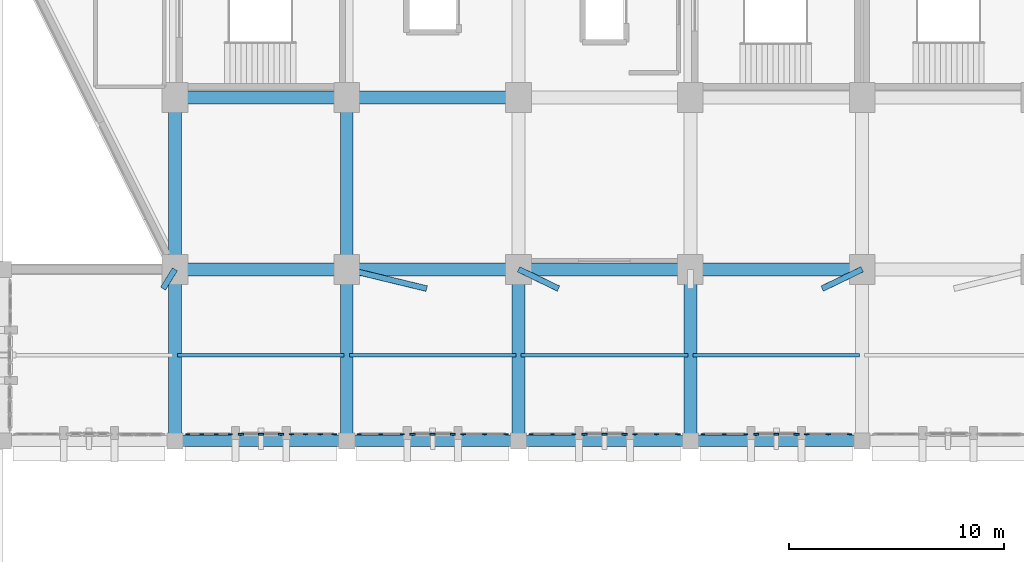
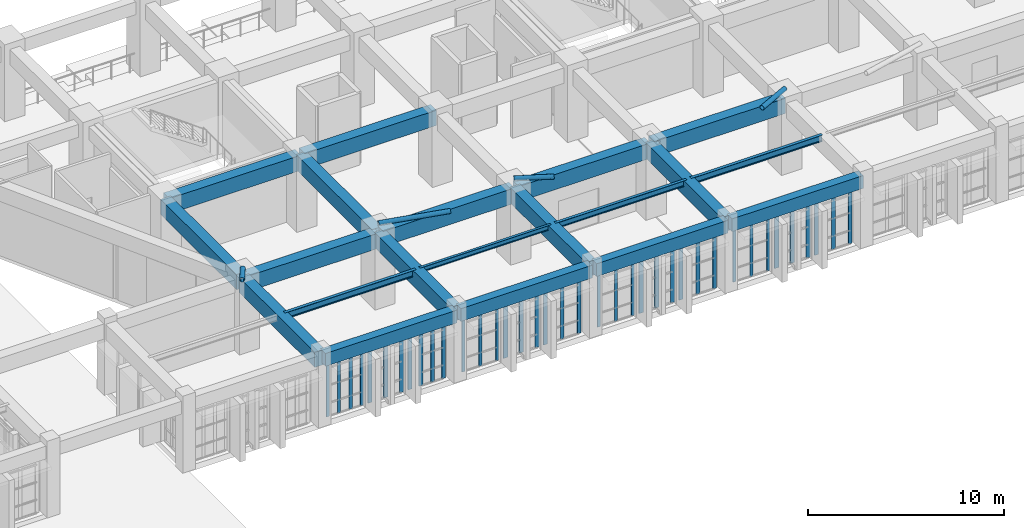
# One storey, part 18 of 155: 42 members, 20 beams, 12 elements without a shape of their own.
"""IFC4 building model written with IfcOpenShell, lengths in metres."""

from ifc_helpers import new_model, si_unit, direction, frame, origin, origin_2d, place, context, subcontext, project, spatial, rectangle, hollow_circle, i_section, extrude, material, layer, layer_set, material_profile, profile_set, type_object, element, aggregate, save


model = new_model("IFC4")

# Units and contexts
model_context = context("Model", 3, precision=1e-05, world=origin(), true_north=direction((0.0, 1.0)))
body_context = subcontext(model_context, "Body", "Model", "MODEL_VIEW")
ifc_project = project(units=[si_unit("LENGTHUNIT", "METRE"), si_unit("AREAUNIT", "SQUARE_METRE"), si_unit("VOLUMEUNIT", "CUBIC_METRE"), si_unit("PLANEANGLEUNIT", "RADIAN"), si_unit("MASSUNIT", "GRAM", prefix="KILO")], contexts=[model_context])

# Site, building, storey
site_placement = place(None, origin())
site = spatial("IfcSite", under=ifc_project, at=site_placement, CompositionType="ELEMENT")
building_placement = place(site_placement, origin())
building = spatial("IfcBuilding", under=site, at=building_placement, Name="Tazarka Park Arena", CompositionType="ELEMENT")
storey_placement = place(building_placement, frame((0.0, 0.0, 5.39990234375)))
storey = spatial("IfcBuildingStorey", under=building, at=storey_placement, Name="L01", CompositionType="ELEMENT", Elevation=5.39990234375)

# Beams
ifc_material_1 = material(Name="Concrete C40/50", Category="concrete")
ifc_material_profile_1 = material_profile(ifc_material_1, rectangle(XDim=0.60009765625, YDim=0.949951171875, at=origin_2d()), Name="Concrete C40/50")
ifc_profile_set_1 = profile_set([ifc_material_profile_1], Name="Concrete C40/50")
beam_type_1 = type_object("IfcBeamType", Name="BM-B-03", PredefinedType="BEAM", material=ifc_profile_set_1)
for number, where, z_axis, x_axis, name in (
    (1, (64.0, 8.1201171875, 3.945068359375), (0.0, 1.0, 0.0), (-1.0, 0.0, 0.0), "GYM-L01-08-01"),
    (2, (64.1201171875, 16.0, 3.945068359375), (1.0, 0.0, 0.0), (0.0, 1.0, 0.0), "GXM-L01-08-02"),
    (3, (64.0, 16.1201171875, 3.945068359375), (0.0, 1.0, 0.0), (-1.0, 0.0, 0.0), "GYM-L01-08-02"),
    (4, (64.1201171875, 24.0, 3.945068359375), (1.0, 0.0, 0.0), (0.0, 1.0, 0.0), "GXM-L01-08-03"),
    (5, (72.0, 8.1201171875, 3.945068359375), (0.0, 1.0, 0.0), (-1.0, 0.0, 0.0), "GYM-L01-09-01"),
    (6, (72.1201171875, 16.0, 3.945068359375), (1.0, 0.0, 0.0), (0.0, 1.0, 0.0), "GXM-L01-09-02"),
    (7, (72.0, 16.1201171875, 3.945068359375), (0.0, 1.0, 0.0), (-1.0, 0.0, 0.0), "GYM-L01-09-02"),
    (8, (72.1201171875, 24.0, 3.945068359375), (1.0, 0.0, 0.0), (0.0, 1.0, 0.0), "GXM-L01-09-03"),
    (9, (80.0, 8.1201171875, 3.945068359375), (0.0, 1.0, 0.0), (-1.0, 0.0, 0.0), "GYM-L01-10-01"),
    (10, (80.1201171875, 16.0, 3.945068359375), (1.0, 0.0, 0.0), (0.0, 1.0, 0.0), "GXM-L01-10-02"),
    (11, (88.0, 8.1201171875, 3.945068359375), (0.0, 1.0, 0.0), (-1.0, 0.0, 0.0), "GYM-L01-11-01"),
    (12, (88.1201171875, 16.0, 3.945068359375), (1.0, 0.0, 0.0), (0.0, 1.0, 0.0), "GXM-L01-11-02"),
):
    element("IfcBeam", number, at=place(storey_placement, frame(where, z_axis=z_axis, x_axis=x_axis)), inside=storey, type_object=beam_type_1, Name=name, PredefinedType="BEAM", context=body_context, shape_type="SweptSolid", body=[
        extrude(rectangle(XDim=0.60009765625, YDim=0.949951171875, at=origin_2d()), origin(), (0.0, 0.0, 1.0), 7.759765625),
    ])
ifc_material_2 = material(Name="Steel S355", Category="steel")
ifc_material_profile_2 = material_profile(ifc_material_2, i_section(OverallWidth=0.14990234375, OverallDepth=0.300048828125, WebThickness=0.007080078125, FlangeThickness=0.0107421875, FilletRadius=0.014892578125, at=origin_2d()), Name="Steel S355")
ifc_profile_set_2 = profile_set([ifc_material_profile_2], Name="Steel S355")
beam_type_2 = type_object("IfcBeamType", Name="BM-J-01", PredefinedType="JOIST", material=ifc_profile_set_2)
beam_1_placement = place(storey_placement, frame((72.1201171875, 12.0, 4.27001953125), z_axis=(1.0, 0.0, 0.0), x_axis=(0.0, 1.0, 0.0)))
element("IfcBeam", 13, at=beam_1_placement, inside=storey, type_object=beam_type_2, Name="JST-L01-09-01", PredefinedType="JOIST", context=body_context, shape_type="SweptSolid", body=[
    extrude(i_section(OverallWidth=0.14990234375, OverallDepth=0.300048828125, WebThickness=0.007080078125, FlangeThickness=0.0107421875, FilletRadius=0.014892578125, at=origin_2d()), origin(), (0.0, 0.0, 1.0), 7.759765625),
])
ifc_material_3 = material(Name="Steel S355", Category="steel")
ifc_material_profile_3 = material_profile(ifc_material_3, i_section(OverallWidth=0.169921875, OverallDepth=0.360107421875, WebThickness=0.008056640625, FlangeThickness=0.0126953125, FilletRadius=0.01806640625, at=origin_2d()), Name="Steel S355")
ifc_profile_set_3 = profile_set([ifc_material_profile_3], Name="Steel S355")
beam_type_3 = type_object("IfcBeamType", Name="BM-J-02", PredefinedType="JOIST", material=ifc_profile_set_3)
beam_2_placement = place(storey_placement, frame((80.1201171875, 12.0, 4.239990234375), z_axis=(1.0, 0.0, 0.0), x_axis=(0.0, 1.0, 0.0)))
element("IfcBeam", 14, at=beam_2_placement, inside=storey, type_object=beam_type_3, Name="JST-L01-10-01", PredefinedType="JOIST", context=body_context, shape_type="SweptSolid", body=[
    extrude(i_section(OverallWidth=0.169921875, OverallDepth=0.360107421875, WebThickness=0.008056640625, FlangeThickness=0.0126953125, FilletRadius=0.01806640625, at=origin_2d()), origin(), (0.0, 0.0, 1.0), 7.759765625),
])
ifc_material_4 = material(Name="Steel S355", Category="steel")
ifc_material_profile_4 = material_profile(ifc_material_4, i_section(OverallWidth=0.179931640625, OverallDepth=0.39990234375, WebThickness=0.008544921875, FlangeThickness=0.013427734375, FilletRadius=0.02099609375, at=origin_2d()), Name="Steel S355")
ifc_profile_set_4 = profile_set([ifc_material_profile_4], Name="Steel S355")
beam_type_4 = type_object("IfcBeamType", Name="BM-J-03", PredefinedType="JOIST", material=ifc_profile_set_4)
for number, where, z_axis, x_axis, name in (
    (15, (64.1201171875, 12.0, 4.22021484375), (1.0, 0.0, 0.0), (0.0, 1.0, 0.0), "JST-L01-08-01"),
    (16, (88.1201171875, 12.0, 4.22021484375), (1.0, 0.0, 0.0), (0.0, 1.0, 0.0), "JST-L01-11-01"),
):
    element("IfcBeam", number, at=place(storey_placement, frame(where, z_axis=z_axis, x_axis=x_axis)), inside=storey, type_object=beam_type_4, Name=name, PredefinedType="JOIST", context=body_context, shape_type="SweptSolid", body=[
        extrude(i_section(OverallWidth=0.179931640625, OverallDepth=0.39990234375, WebThickness=0.008544921875, FlangeThickness=0.013427734375, FilletRadius=0.02099609375, at=origin_2d()), origin(), (0.0, 0.0, 1.0), 7.759765625),
    ])
ifc_material_5 = material(Name="Concrete C40/50", Category="concrete")
ifc_material_profile_5 = material_profile(ifc_material_5, rectangle(XDim=0.5, YDim=0.800048828125, at=origin_2d()), Name="Concrete C40/50")
ifc_profile_set_5 = profile_set([ifc_material_profile_5], Name="Concrete C40/50")
beam_type_5 = type_object("IfcBeamType", Name="BM-SP-01", PredefinedType="SPANDREL", material=ifc_profile_set_5)
for number, where, z_axis, x_axis, name in (
    (17, (64.1201171875, 8.0, 4.02001953125), (1.0, 0.0, 0.0), (0.0, 1.0, 0.0), "GXM-L01-08-01"),
    (18, (72.1201171875, 8.0, 4.02001953125), (1.0, 0.0, 0.0), (0.0, 1.0, 0.0), "GXM-L01-09-01"),
    (19, (80.1201171875, 8.0, 4.02001953125), (1.0, 0.0, 0.0), (0.0, 1.0, 0.0), "GXM-L01-10-01"),
    (20, (88.1201171875, 8.0, 4.02001953125), (1.0, 0.0, 0.0), (0.0, 1.0, 0.0), "GXM-L01-11-01"),
):
    element("IfcBeam", number, at=place(storey_placement, frame(where, z_axis=z_axis, x_axis=x_axis)), inside=storey, type_object=beam_type_5, Name=name, PredefinedType="SPANDREL", context=body_context, shape_type="SweptSolid", body=[
        extrude(rectangle(XDim=0.5, YDim=0.800048828125, at=origin_2d()), origin(), (0.0, 0.0, 1.0), 7.759765625),
    ])

# Curtain wall, members
ifc_material_6 = material(Name="Aluminium and low-e glass", Category="aluminium")
ifc_layer_1 = layer(ifc_material_6, 0.179931640625, Name="Aluminium and low-e glass")
ifc_layer_set_1 = layer_set([ifc_layer_1], Name="Aluminium and low-e glass")
curtain_wall_type_1 = type_object("IfcCurtainWallType", Name="CW-09", PredefinedType="NOTDEFINED", material=ifc_layer_set_1)
curtain_wall_1_placement = place(storey_placement, origin())
curtain_wall_1 = element("IfcCurtainWall", 21, at=curtain_wall_1_placement, inside=storey, type_object=curtain_wall_type_1, Name="Curtain Wall CWA-L01-009", PredefinedType="NOTDEFINED")
ifc_material_7 = material(Name="Aluminium 6060-T66", Category="aluminium")
ifc_material_profile_6 = material_profile(ifc_material_7, rectangle(XDim=0.06494140625, YDim=0.179931640625, at=origin_2d()), Name="Aluminium 6060-T66")
ifc_profile_set_6 = profile_set([ifc_material_profile_6], Name="Aluminium 6060-T66")
member_type_1 = type_object("IfcMemberType", Name="CWM-01", PredefinedType="MULLION", material=ifc_profile_set_6)
member_1_placement = place(storey_placement, frame((66.57568359375, 8.320068359375, 0.0), z_axis=(0.0, 0.0, 1.0), x_axis=(0.0, -1.0, 0.0)))
member_1 = element("IfcMember", 22, at=member_1_placement, type_object=member_type_1, Name="CW-09 mullion 1", PredefinedType="MULLION", context=body_context, shape_type="SweptSolid", body=[
    extrude(rectangle(XDim=0.06494140625, YDim=0.179931640625, at=origin_2d()), origin(), (0.0, 0.0, 1.0), 3.60009765625),
])
member_2_placement = place(storey_placement, frame((65.923828125, 8.320068359375, 0.0), z_axis=(0.0, 0.0, 1.0), x_axis=(0.0, -1.0, 0.0)))
member_2 = element("IfcMember", 23, at=member_2_placement, type_object=member_type_1, Name="CW-09 mullion 2", PredefinedType="MULLION", context=body_context, shape_type="SweptSolid", body=[
    extrude(rectangle(XDim=0.06494140625, YDim=0.179931640625, at=origin_2d()), origin(), (0.0, 0.0, 1.0), 3.60009765625),
])
member_3_placement = place(storey_placement, frame((65.239501953125, 8.320068359375, 0.0), z_axis=(0.0, 0.0, 1.0), x_axis=(0.0, -1.0, 0.0)))
member_3 = element("IfcMember", 24, at=member_3_placement, type_object=member_type_1, Name="CW-09 mullion 3", PredefinedType="MULLION", context=body_context, shape_type="SweptSolid", body=[
    extrude(rectangle(XDim=0.06494140625, YDim=0.179931640625, at=origin_2d()), origin(), (0.0, 0.0, 1.0), 3.60009765625),
])
member_4_placement = place(storey_placement, frame((64.58740234375, 8.320068359375, 0.0), z_axis=(0.0, 0.0, 1.0), x_axis=(0.0, -1.0, 0.0)))
member_4 = element("IfcMember", 25, at=member_4_placement, type_object=member_type_1, Name="CW-09 mullion 4", PredefinedType="MULLION", context=body_context, shape_type="SweptSolid", body=[
    extrude(rectangle(XDim=0.06494140625, YDim=0.179931640625, at=origin_2d()), origin(), (0.0, 0.0, 1.0), 3.60009765625),
])
aggregate(curtain_wall_1, [member_1, member_2, member_3, member_4])

ifc_material_8 = material(Name="Aluminium and low-e glass", Category="aluminium")
ifc_layer_2 = layer(ifc_material_8, 0.179931640625, Name="Aluminium and low-e glass")
ifc_layer_set_2 = layer_set([ifc_layer_2], Name="Aluminium and low-e glass")
curtain_wall_type_2 = type_object("IfcCurtainWallType", Name="CW-12", PredefinedType="NOTDEFINED", material=ifc_layer_set_2)
curtain_wall_2_placement = place(storey_placement, origin())
curtain_wall_2 = element("IfcCurtainWall", 26, at=curtain_wall_2_placement, inside=storey, type_object=curtain_wall_type_2, Name="Curtain Wall CWA-L01-012", PredefinedType="NOTDEFINED")
member_5_placement = place(storey_placement, frame((74.57568359375, 8.320068359375, 0.0), z_axis=(0.0, 0.0, 1.0), x_axis=(0.0, -1.0, 0.0)))
member_5 = element("IfcMember", 27, at=member_5_placement, type_object=member_type_1, Name="CW-12 mullion 1", PredefinedType="MULLION", context=body_context, shape_type="SweptSolid", body=[
    extrude(rectangle(XDim=0.06494140625, YDim=0.179931640625, at=origin_2d()), origin(), (0.0, 0.0, 1.0), 3.60009765625),
])
member_6_placement = place(storey_placement, frame((73.58154296875, 8.320068359375, 0.0), z_axis=(0.0, 0.0, 1.0), x_axis=(0.0, -1.0, 0.0)))
member_6 = element("IfcMember", 28, at=member_6_placement, type_object=member_type_1, Name="CW-12 mullion 2", PredefinedType="MULLION", context=body_context, shape_type="SweptSolid", body=[
    extrude(rectangle(XDim=0.06494140625, YDim=0.179931640625, at=origin_2d()), origin(), (0.0, 0.0, 1.0), 3.60009765625),
])
member_7_placement = place(storey_placement, frame((72.58740234375, 8.320068359375, 0.0), z_axis=(0.0, 0.0, 1.0), x_axis=(0.0, -1.0, 0.0)))
member_7 = element("IfcMember", 29, at=member_7_placement, type_object=member_type_1, Name="CW-12 mullion 3", PredefinedType="MULLION", context=body_context, shape_type="SweptSolid", body=[
    extrude(rectangle(XDim=0.06494140625, YDim=0.179931640625, at=origin_2d()), origin(), (0.0, 0.0, 1.0), 3.60009765625),
])
aggregate(curtain_wall_2, [member_5, member_6, member_7])

ifc_material_9 = material(Name="Aluminium and low-e glass", Category="aluminium")
ifc_layer_3 = layer(ifc_material_9, 0.179931640625, Name="Aluminium and low-e glass")
ifc_layer_set_3 = layer_set([ifc_layer_3], Name="Aluminium and low-e glass")
curtain_wall_type_3 = type_object("IfcCurtainWallType", Name="CW-15", PredefinedType="NOTDEFINED", material=ifc_layer_set_3)
curtain_wall_3_placement = place(storey_placement, origin())
curtain_wall_3 = element("IfcCurtainWall", 30, at=curtain_wall_3_placement, inside=storey, type_object=curtain_wall_type_3, Name="Curtain Wall CWA-L01-015", PredefinedType="NOTDEFINED")
member_8_placement = place(storey_placement, frame((82.57568359375, 8.320068359375, 0.0), z_axis=(0.0, 0.0, 1.0), x_axis=(0.0, -1.0, 0.0)))
member_8 = element("IfcMember", 31, at=member_8_placement, type_object=member_type_1, Name="CW-15 mullion 1", PredefinedType="MULLION", context=body_context, shape_type="SweptSolid", body=[
    extrude(rectangle(XDim=0.06494140625, YDim=0.179931640625, at=origin_2d()), origin(), (0.0, 0.0, 1.0), 3.60009765625),
])
member_9_placement = place(storey_placement, frame((81.58154296875, 8.320068359375, 0.0), z_axis=(0.0, 0.0, 1.0), x_axis=(0.0, -1.0, 0.0)))
member_9 = element("IfcMember", 32, at=member_9_placement, type_object=member_type_1, Name="CW-15 mullion 2", PredefinedType="MULLION", context=body_context, shape_type="SweptSolid", body=[
    extrude(rectangle(XDim=0.06494140625, YDim=0.179931640625, at=origin_2d()), origin(), (0.0, 0.0, 1.0), 3.60009765625),
])
member_10_placement = place(storey_placement, frame((80.58740234375, 8.320068359375, 0.0), z_axis=(0.0, 0.0, 1.0), x_axis=(0.0, -1.0, 0.0)))
member_10 = element("IfcMember", 33, at=member_10_placement, type_object=member_type_1, Name="CW-15 mullion 3", PredefinedType="MULLION", context=body_context, shape_type="SweptSolid", body=[
    extrude(rectangle(XDim=0.06494140625, YDim=0.179931640625, at=origin_2d()), origin(), (0.0, 0.0, 1.0), 3.60009765625),
])
aggregate(curtain_wall_3, [member_8, member_9, member_10])

ifc_material_10 = material(Name="Aluminium and low-e glass", Category="aluminium")
ifc_layer_4 = layer(ifc_material_10, 0.179931640625, Name="Aluminium and low-e glass")
ifc_layer_set_4 = layer_set([ifc_layer_4], Name="Aluminium and low-e glass")
curtain_wall_type_4 = type_object("IfcCurtainWallType", Name="CW-18", PredefinedType="NOTDEFINED", material=ifc_layer_set_4)
curtain_wall_4_placement = place(storey_placement, origin())
curtain_wall_4 = element("IfcCurtainWall", 34, at=curtain_wall_4_placement, inside=storey, type_object=curtain_wall_type_4, Name="Curtain Wall CWA-L01-018", PredefinedType="NOTDEFINED")
member_11_placement = place(storey_placement, frame((90.57568359375, 8.320068359375, 0.0), z_axis=(0.0, 0.0, 1.0), x_axis=(0.0, -1.0, 0.0)))
member_11 = element("IfcMember", 35, at=member_11_placement, type_object=member_type_1, Name="CW-18 mullion 1", PredefinedType="MULLION", context=body_context, shape_type="SweptSolid", body=[
    extrude(rectangle(XDim=0.06494140625, YDim=0.179931640625, at=origin_2d()), origin(), (0.0, 0.0, 1.0), 3.60009765625),
])
member_12_placement = place(storey_placement, frame((89.58154296875, 8.320068359375, 0.0), z_axis=(0.0, 0.0, 1.0), x_axis=(0.0, -1.0, 0.0)))
member_12 = element("IfcMember", 36, at=member_12_placement, type_object=member_type_1, Name="CW-18 mullion 2", PredefinedType="MULLION", context=body_context, shape_type="SweptSolid", body=[
    extrude(rectangle(XDim=0.06494140625, YDim=0.179931640625, at=origin_2d()), origin(), (0.0, 0.0, 1.0), 3.60009765625),
])
member_13_placement = place(storey_placement, frame((88.58740234375, 8.320068359375, 0.0), z_axis=(0.0, 0.0, 1.0), x_axis=(0.0, -1.0, 0.0)))
member_13 = element("IfcMember", 37, at=member_13_placement, type_object=member_type_1, Name="CW-18 mullion 3", PredefinedType="MULLION", context=body_context, shape_type="SweptSolid", body=[
    extrude(rectangle(XDim=0.06494140625, YDim=0.179931640625, at=origin_2d()), origin(), (0.0, 0.0, 1.0), 3.60009765625),
])
aggregate(curtain_wall_4, [member_11, member_12, member_13])

ifc_material_11 = material(Name="Aluminium and low-e glass", Category="aluminium")
ifc_layer_5 = layer(ifc_material_11, 0.179931640625, Name="Aluminium and low-e glass")
ifc_layer_set_5 = layer_set([ifc_layer_5], Name="Aluminium and low-e glass")
curtain_wall_type_5 = type_object("IfcCurtainWallType", Name="CW-07", PredefinedType="NOTDEFINED", material=ifc_layer_set_5)
curtain_wall_5_placement = place(storey_placement, origin())
curtain_wall_5 = element("IfcCurtainWall", 38, at=curtain_wall_5_placement, inside=storey, type_object=curtain_wall_type_5, Name="Curtain Wall CWA-L01-007", PredefinedType="NOTDEFINED")
ifc_material_12 = material(Name="Aluminium 6060-T66", Category="aluminium")
ifc_material_profile_7 = material_profile(ifc_material_12, rectangle(XDim=0.06494140625, YDim=0.219970703125, at=origin_2d()), Name="Aluminium 6060-T66")
ifc_profile_set_7 = profile_set([ifc_material_profile_7], Name="Aluminium 6060-T66")
member_type_2 = type_object("IfcMemberType", Name="CWM-02", PredefinedType="MULLION", material=ifc_profile_set_7)
member_14_placement = place(storey_placement, frame((71.41259765625, 8.320068359375, 0.0), z_axis=(0.0, 0.0, 1.0), x_axis=(0.0, -1.0, 0.0)))
member_14 = element("IfcMember", 39, at=member_14_placement, type_object=member_type_2, Name="CW-07 mullion 1", PredefinedType="MULLION", context=body_context, shape_type="SweptSolid", body=[
    extrude(rectangle(XDim=0.06494140625, YDim=0.219970703125, at=origin_2d()), origin(), (0.0, 0.0, 1.0), 3.60009765625),
])
member_15_placement = place(storey_placement, frame((70.760498046875, 8.320068359375, 0.0), z_axis=(0.0, 0.0, 1.0), x_axis=(0.0, -1.0, 0.0)))
member_15 = element("IfcMember", 40, at=member_15_placement, type_object=member_type_2, Name="CW-07 mullion 2", PredefinedType="MULLION", context=body_context, shape_type="SweptSolid", body=[
    extrude(rectangle(XDim=0.06494140625, YDim=0.219970703125, at=origin_2d()), origin(), (0.0, 0.0, 1.0), 3.60009765625),
])
member_16_placement = place(storey_placement, frame((70.076171875, 8.320068359375, 0.0), z_axis=(0.0, 0.0, 1.0), x_axis=(0.0, -1.0, 0.0)))
member_16 = element("IfcMember", 41, at=member_16_placement, type_object=member_type_2, Name="CW-07 mullion 3", PredefinedType="MULLION", context=body_context, shape_type="SweptSolid", body=[
    extrude(rectangle(XDim=0.06494140625, YDim=0.219970703125, at=origin_2d()), origin(), (0.0, 0.0, 1.0), 3.60009765625),
])
member_17_placement = place(storey_placement, frame((69.42431640625, 8.320068359375, 0.0), z_axis=(0.0, 0.0, 1.0), x_axis=(0.0, -1.0, 0.0)))
member_17 = element("IfcMember", 42, at=member_17_placement, type_object=member_type_2, Name="CW-07 mullion 4", PredefinedType="MULLION", context=body_context, shape_type="SweptSolid", body=[
    extrude(rectangle(XDim=0.06494140625, YDim=0.219970703125, at=origin_2d()), origin(), (0.0, 0.0, 1.0), 3.60009765625),
])
aggregate(curtain_wall_5, [member_14, member_15, member_16, member_17])

ifc_material_13 = material(Name="Aluminium and low-e glass", Category="aluminium")
ifc_layer_6 = layer(ifc_material_13, 0.179931640625, Name="Aluminium and low-e glass")
ifc_layer_set_6 = layer_set([ifc_layer_6], Name="Aluminium and low-e glass")
curtain_wall_type_6 = type_object("IfcCurtainWallType", Name="CW-10", PredefinedType="NOTDEFINED", material=ifc_layer_set_6)
curtain_wall_6_placement = place(storey_placement, origin())
curtain_wall_6 = element("IfcCurtainWall", 43, at=curtain_wall_6_placement, inside=storey, type_object=curtain_wall_type_6, Name="Curtain Wall CWA-L01-010", PredefinedType="NOTDEFINED")
member_18_placement = place(storey_placement, frame((79.41259765625, 8.320068359375, 0.0), z_axis=(0.0, 0.0, 1.0), x_axis=(0.0, -1.0, 0.0)))
member_18 = element("IfcMember", 44, at=member_18_placement, type_object=member_type_2, Name="CW-10 mullion 1", PredefinedType="MULLION", context=body_context, shape_type="SweptSolid", body=[
    extrude(rectangle(XDim=0.06494140625, YDim=0.219970703125, at=origin_2d()), origin(), (0.0, 0.0, 1.0), 3.60009765625),
])
member_19_placement = place(storey_placement, frame((78.41845703125, 8.320068359375, 0.0), z_axis=(0.0, 0.0, 1.0), x_axis=(0.0, -1.0, 0.0)))
member_19 = element("IfcMember", 45, at=member_19_placement, type_object=member_type_2, Name="CW-10 mullion 2", PredefinedType="MULLION", context=body_context, shape_type="SweptSolid", body=[
    extrude(rectangle(XDim=0.06494140625, YDim=0.219970703125, at=origin_2d()), origin(), (0.0, 0.0, 1.0), 3.60009765625),
])
member_20_placement = place(storey_placement, frame((77.42431640625, 8.320068359375, 0.0), z_axis=(0.0, 0.0, 1.0), x_axis=(0.0, -1.0, 0.0)))
member_20 = element("IfcMember", 46, at=member_20_placement, type_object=member_type_2, Name="CW-10 mullion 3", PredefinedType="MULLION", context=body_context, shape_type="SweptSolid", body=[
    extrude(rectangle(XDim=0.06494140625, YDim=0.219970703125, at=origin_2d()), origin(), (0.0, 0.0, 1.0), 3.60009765625),
])
aggregate(curtain_wall_6, [member_18, member_19, member_20])

ifc_material_14 = material(Name="Aluminium and low-e glass", Category="aluminium")
ifc_layer_7 = layer(ifc_material_14, 0.179931640625, Name="Aluminium and low-e glass")
ifc_layer_set_7 = layer_set([ifc_layer_7], Name="Aluminium and low-e glass")
curtain_wall_type_7 = type_object("IfcCurtainWallType", Name="CW-13", PredefinedType="NOTDEFINED", material=ifc_layer_set_7)
curtain_wall_7_placement = place(storey_placement, origin())
curtain_wall_7 = element("IfcCurtainWall", 47, at=curtain_wall_7_placement, inside=storey, type_object=curtain_wall_type_7, Name="Curtain Wall CWA-L01-013", PredefinedType="NOTDEFINED")
member_21_placement = place(storey_placement, frame((87.41259765625, 8.320068359375, 0.0), z_axis=(0.0, 0.0, 1.0), x_axis=(0.0, -1.0, 0.0)))
member_21 = element("IfcMember", 48, at=member_21_placement, type_object=member_type_2, Name="CW-13 mullion 1", PredefinedType="MULLION", context=body_context, shape_type="SweptSolid", body=[
    extrude(rectangle(XDim=0.06494140625, YDim=0.219970703125, at=origin_2d()), origin(), (0.0, 0.0, 1.0), 3.60009765625),
])
member_22_placement = place(storey_placement, frame((86.41845703125, 8.320068359375, 0.0), z_axis=(0.0, 0.0, 1.0), x_axis=(0.0, -1.0, 0.0)))
member_22 = element("IfcMember", 49, at=member_22_placement, type_object=member_type_2, Name="CW-13 mullion 2", PredefinedType="MULLION", context=body_context, shape_type="SweptSolid", body=[
    extrude(rectangle(XDim=0.06494140625, YDim=0.219970703125, at=origin_2d()), origin(), (0.0, 0.0, 1.0), 3.60009765625),
])
member_23_placement = place(storey_placement, frame((85.42431640625, 8.320068359375, 0.0), z_axis=(0.0, 0.0, 1.0), x_axis=(0.0, -1.0, 0.0)))
member_23 = element("IfcMember", 50, at=member_23_placement, type_object=member_type_2, Name="CW-13 mullion 3", PredefinedType="MULLION", context=body_context, shape_type="SweptSolid", body=[
    extrude(rectangle(XDim=0.06494140625, YDim=0.219970703125, at=origin_2d()), origin(), (0.0, 0.0, 1.0), 3.60009765625),
])
aggregate(curtain_wall_7, [member_21, member_22, member_23])

ifc_material_15 = material(Name="Aluminium and low-e glass", Category="aluminium")
ifc_layer_8 = layer(ifc_material_15, 0.179931640625, Name="Aluminium and low-e glass")
ifc_layer_set_8 = layer_set([ifc_layer_8], Name="Aluminium and low-e glass")
curtain_wall_type_8 = type_object("IfcCurtainWallType", Name="CW-16", PredefinedType="NOTDEFINED", material=ifc_layer_set_8)
curtain_wall_8_placement = place(storey_placement, origin())
curtain_wall_8 = element("IfcCurtainWall", 51, at=curtain_wall_8_placement, inside=storey, type_object=curtain_wall_type_8, Name="Curtain Wall CWA-L01-016", PredefinedType="NOTDEFINED")
member_24_placement = place(storey_placement, frame((95.41259765625, 8.320068359375, 0.0), z_axis=(0.0, 0.0, 1.0), x_axis=(0.0, -1.0, 0.0)))
member_24 = element("IfcMember", 52, at=member_24_placement, type_object=member_type_2, Name="CW-16 mullion 1", PredefinedType="MULLION", context=body_context, shape_type="SweptSolid", body=[
    extrude(rectangle(XDim=0.06494140625, YDim=0.219970703125, at=origin_2d()), origin(), (0.0, 0.0, 1.0), 3.60009765625),
])
member_25_placement = place(storey_placement, frame((94.41845703125, 8.320068359375, 0.0), z_axis=(0.0, 0.0, 1.0), x_axis=(0.0, -1.0, 0.0)))
member_25 = element("IfcMember", 53, at=member_25_placement, type_object=member_type_2, Name="CW-16 mullion 2", PredefinedType="MULLION", context=body_context, shape_type="SweptSolid", body=[
    extrude(rectangle(XDim=0.06494140625, YDim=0.219970703125, at=origin_2d()), origin(), (0.0, 0.0, 1.0), 3.60009765625),
])
member_26_placement = place(storey_placement, frame((93.42431640625, 8.320068359375, 0.0), z_axis=(0.0, 0.0, 1.0), x_axis=(0.0, -1.0, 0.0)))
member_26 = element("IfcMember", 54, at=member_26_placement, type_object=member_type_2, Name="CW-16 mullion 3", PredefinedType="MULLION", context=body_context, shape_type="SweptSolid", body=[
    extrude(rectangle(XDim=0.06494140625, YDim=0.219970703125, at=origin_2d()), origin(), (0.0, 0.0, 1.0), 3.60009765625),
])
aggregate(curtain_wall_8, [member_24, member_25, member_26])

ifc_material_16 = material(Name="Aluminium and low-e glass", Category="aluminium")
ifc_layer_9 = layer(ifc_material_16, 0.179931640625, Name="Aluminium and low-e glass")
ifc_layer_set_9 = layer_set([ifc_layer_9], Name="Aluminium and low-e glass")
curtain_wall_type_9 = type_object("IfcCurtainWallType", Name="CW-08", PredefinedType="NOTDEFINED", material=ifc_layer_set_9)
curtain_wall_9_placement = place(storey_placement, origin())
curtain_wall_9 = element("IfcCurtainWall", 55, at=curtain_wall_9_placement, inside=storey, type_object=curtain_wall_type_9, Name="Curtain Wall CWA-L01-008", PredefinedType="NOTDEFINED")
ifc_material_17 = material(Name="Aluminium 6060-T66", Category="aluminium")
ifc_material_profile_8 = material_profile(ifc_material_17, rectangle(XDim=0.074951171875, YDim=0.25, at=origin_2d()), Name="Aluminium 6060-T66")
ifc_profile_set_8 = profile_set([ifc_material_profile_8], Name="Aluminium 6060-T66")
member_type_3 = type_object("IfcMemberType", Name="CWM-03", PredefinedType="MULLION", material=ifc_profile_set_8)
member_27_placement = place(storey_placement, frame((68.93408203125, 8.320068359375, 0.0), z_axis=(0.0, 0.0, 1.0), x_axis=(0.0, -1.0, 0.0)))
member_27 = element("IfcMember", 56, at=member_27_placement, type_object=member_type_3, Name="CW-08 mullion 1", PredefinedType="MULLION", context=body_context, shape_type="SweptSolid", body=[
    extrude(rectangle(XDim=0.074951171875, YDim=0.25, at=origin_2d()), origin(), (0.0, 0.0, 1.0), 3.60009765625),
])
member_28_placement = place(storey_placement, frame((68.0, 8.320068359375, 0.0), z_axis=(0.0, 0.0, 1.0), x_axis=(0.0, -1.0, 0.0)))
member_28 = element("IfcMember", 57, at=member_28_placement, type_object=member_type_3, Name="CW-08 mullion 2", PredefinedType="MULLION", context=body_context, shape_type="SweptSolid", body=[
    extrude(rectangle(XDim=0.074951171875, YDim=0.25, at=origin_2d()), origin(), (0.0, 0.0, 1.0), 3.60009765625),
])
member_29_placement = place(storey_placement, frame((67.06591796875, 8.320068359375, 0.0), z_axis=(0.0, 0.0, 1.0), x_axis=(0.0, -1.0, 0.0)))
member_29 = element("IfcMember", 58, at=member_29_placement, type_object=member_type_3, Name="CW-08 mullion 3", PredefinedType="MULLION", context=body_context, shape_type="SweptSolid", body=[
    extrude(rectangle(XDim=0.074951171875, YDim=0.25, at=origin_2d()), origin(), (0.0, 0.0, 1.0), 3.60009765625),
])
aggregate(curtain_wall_9, [member_27, member_28, member_29])

ifc_material_18 = material(Name="Aluminium and low-e glass", Category="aluminium")
ifc_layer_10 = layer(ifc_material_18, 0.179931640625, Name="Aluminium and low-e glass")
ifc_layer_set_10 = layer_set([ifc_layer_10], Name="Aluminium and low-e glass")
curtain_wall_type_10 = type_object("IfcCurtainWallType", Name="CW-11", PredefinedType="NOTDEFINED", material=ifc_layer_set_10)
curtain_wall_10_placement = place(storey_placement, origin())
curtain_wall_10 = element("IfcCurtainWall", 59, at=curtain_wall_10_placement, inside=storey, type_object=curtain_wall_type_10, Name="Curtain Wall CWA-L01-011", PredefinedType="NOTDEFINED")
member_30_placement = place(storey_placement, frame((76.93408203125, 8.320068359375, 0.0), z_axis=(0.0, 0.0, 1.0), x_axis=(0.0, -1.0, 0.0)))
member_30 = element("IfcMember", 60, at=member_30_placement, type_object=member_type_3, Name="CW-11 mullion 1", PredefinedType="MULLION", context=body_context, shape_type="SweptSolid", body=[
    extrude(rectangle(XDim=0.074951171875, YDim=0.25, at=origin_2d()), origin(), (0.0, 0.0, 1.0), 3.60009765625),
])
member_31_placement = place(storey_placement, frame((76.0, 8.320068359375, 0.0), z_axis=(0.0, 0.0, 1.0), x_axis=(0.0, -1.0, 0.0)))
member_31 = element("IfcMember", 61, at=member_31_placement, type_object=member_type_3, Name="CW-11 mullion 2", PredefinedType="MULLION", context=body_context, shape_type="SweptSolid", body=[
    extrude(rectangle(XDim=0.074951171875, YDim=0.25, at=origin_2d()), origin(), (0.0, 0.0, 1.0), 3.60009765625),
])
member_32_placement = place(storey_placement, frame((75.06591796875, 8.320068359375, 0.0), z_axis=(0.0, 0.0, 1.0), x_axis=(0.0, -1.0, 0.0)))
member_32 = element("IfcMember", 62, at=member_32_placement, type_object=member_type_3, Name="CW-11 mullion 3", PredefinedType="MULLION", context=body_context, shape_type="SweptSolid", body=[
    extrude(rectangle(XDim=0.074951171875, YDim=0.25, at=origin_2d()), origin(), (0.0, 0.0, 1.0), 3.60009765625),
])
aggregate(curtain_wall_10, [member_30, member_31, member_32])

ifc_material_19 = material(Name="Aluminium and low-e glass", Category="aluminium")
ifc_layer_11 = layer(ifc_material_19, 0.179931640625, Name="Aluminium and low-e glass")
ifc_layer_set_11 = layer_set([ifc_layer_11], Name="Aluminium and low-e glass")
curtain_wall_type_11 = type_object("IfcCurtainWallType", Name="CW-14", PredefinedType="NOTDEFINED", material=ifc_layer_set_11)
curtain_wall_11_placement = place(storey_placement, origin())
curtain_wall_11 = element("IfcCurtainWall", 63, at=curtain_wall_11_placement, inside=storey, type_object=curtain_wall_type_11, Name="Curtain Wall CWA-L01-014", PredefinedType="NOTDEFINED")
member_33_placement = place(storey_placement, frame((84.93408203125, 8.320068359375, 0.0), z_axis=(0.0, 0.0, 1.0), x_axis=(0.0, -1.0, 0.0)))
member_33 = element("IfcMember", 64, at=member_33_placement, type_object=member_type_3, Name="CW-14 mullion 1", PredefinedType="MULLION", context=body_context, shape_type="SweptSolid", body=[
    extrude(rectangle(XDim=0.074951171875, YDim=0.25, at=origin_2d()), origin(), (0.0, 0.0, 1.0), 3.60009765625),
])
member_34_placement = place(storey_placement, frame((84.0, 8.320068359375, 0.0), z_axis=(0.0, 0.0, 1.0), x_axis=(0.0, -1.0, 0.0)))
member_34 = element("IfcMember", 65, at=member_34_placement, type_object=member_type_3, Name="CW-14 mullion 2", PredefinedType="MULLION", context=body_context, shape_type="SweptSolid", body=[
    extrude(rectangle(XDim=0.074951171875, YDim=0.25, at=origin_2d()), origin(), (0.0, 0.0, 1.0), 3.60009765625),
])
member_35_placement = place(storey_placement, frame((83.06591796875, 8.320068359375, 0.0), z_axis=(0.0, 0.0, 1.0), x_axis=(0.0, -1.0, 0.0)))
member_35 = element("IfcMember", 66, at=member_35_placement, type_object=member_type_3, Name="CW-14 mullion 3", PredefinedType="MULLION", context=body_context, shape_type="SweptSolid", body=[
    extrude(rectangle(XDim=0.074951171875, YDim=0.25, at=origin_2d()), origin(), (0.0, 0.0, 1.0), 3.60009765625),
])
aggregate(curtain_wall_11, [member_33, member_34, member_35])

ifc_material_20 = material(Name="Aluminium and low-e glass", Category="aluminium")
ifc_layer_12 = layer(ifc_material_20, 0.179931640625, Name="Aluminium and low-e glass")
ifc_layer_set_12 = layer_set([ifc_layer_12], Name="Aluminium and low-e glass")
curtain_wall_type_12 = type_object("IfcCurtainWallType", Name="CW-17", PredefinedType="NOTDEFINED", material=ifc_layer_set_12)
curtain_wall_12_placement = place(storey_placement, origin())
curtain_wall_12 = element("IfcCurtainWall", 67, at=curtain_wall_12_placement, inside=storey, type_object=curtain_wall_type_12, Name="Curtain Wall CWA-L01-017", PredefinedType="NOTDEFINED")
member_36_placement = place(storey_placement, frame((92.93408203125, 8.320068359375, 0.0), z_axis=(0.0, 0.0, 1.0), x_axis=(0.0, -1.0, 0.0)))
member_36 = element("IfcMember", 68, at=member_36_placement, type_object=member_type_3, Name="CW-17 mullion 1", PredefinedType="MULLION", context=body_context, shape_type="SweptSolid", body=[
    extrude(rectangle(XDim=0.074951171875, YDim=0.25, at=origin_2d()), origin(), (0.0, 0.0, 1.0), 3.60009765625),
])
member_37_placement = place(storey_placement, frame((92.0, 8.320068359375, 0.0), z_axis=(0.0, 0.0, 1.0), x_axis=(0.0, -1.0, 0.0)))
member_37 = element("IfcMember", 69, at=member_37_placement, type_object=member_type_3, Name="CW-17 mullion 2", PredefinedType="MULLION", context=body_context, shape_type="SweptSolid", body=[
    extrude(rectangle(XDim=0.074951171875, YDim=0.25, at=origin_2d()), origin(), (0.0, 0.0, 1.0), 3.60009765625),
])
member_38_placement = place(storey_placement, frame((91.06591796875, 8.320068359375, 0.0), z_axis=(0.0, 0.0, 1.0), x_axis=(0.0, -1.0, 0.0)))
member_38 = element("IfcMember", 70, at=member_38_placement, type_object=member_type_3, Name="CW-17 mullion 3", PredefinedType="MULLION", context=body_context, shape_type="SweptSolid", body=[
    extrude(rectangle(XDim=0.074951171875, YDim=0.25, at=origin_2d()), origin(), (0.0, 0.0, 1.0), 3.60009765625),
])
aggregate(curtain_wall_12, [member_36, member_37, member_38])

# Members
ifc_material_21 = material(Name="Steel S355", Category="steel")
ifc_material_profile_9 = material_profile(ifc_material_21, hollow_circle(Radius=0.136474609375, WallThickness=0.012451171875, at=origin_2d()), Name="Steel S355")
ifc_profile_set_9 = profile_set([ifc_material_profile_9], Name="Steel S355")
member_type_4 = type_object("IfcMemberType", Name="MEM-SR-01", PredefinedType="STRUT", material=ifc_profile_set_9)
member_39_placement = place(storey_placement, frame((64.0, 16.0, 4.800048828125), z_axis=(-0.525718874276, -0.850658371633, 0.0), x_axis=(0.850658371633, -0.525718874276, 0.0)))
element("IfcMember", 71, at=member_39_placement, inside=storey, type_object=member_type_4, Name="FSB-00", PredefinedType="STRUT", context=body_context, shape_type="SweptSolid", body=[
    extrude(hollow_circle(Radius=0.136474609375, WallThickness=0.012451171875, at=origin_2d()), origin(), (0.0, 0.0, 1.0), 1.057861328125),
])
member_40_placement = place(storey_placement, frame((72.0, 16.0, 4.800048828125), z_axis=(0.971992374621, -0.235012390479, 0.0), x_axis=(0.235012390479, 0.971992374621, 0.0)))
element("IfcMember", 72, at=member_40_placement, inside=storey, type_object=member_type_4, Name="FSB-01", PredefinedType="STRUT", context=body_context, shape_type="SweptSolid", body=[
    extrude(hollow_circle(Radius=0.136474609375, WallThickness=0.012451171875, at=origin_2d()), origin(), (0.0, 0.0, 1.0), 3.8291015625),
])
for number, where, z_axis, x_axis, name in (
    (73, (80.0, 16.0, 4.800048828125), (0.900277218924, -0.435317044333, 0.0), (0.435317044333, 0.900277218924, 0.0), "FSB-02"),
    (74, (96.0, 16.0, 4.800048828125), (-0.900277218924, -0.435317044333, 0.0), (0.435317044333, -0.900277218924, 0.0), "FSB-04"),
):
    element("IfcMember", number, at=place(storey_placement, frame(where, z_axis=z_axis, x_axis=x_axis)), inside=storey, type_object=member_type_4, Name=name, PredefinedType="STRUT", context=body_context, shape_type="SweptSolid", body=[
        extrude(hollow_circle(Radius=0.136474609375, WallThickness=0.012451171875, at=origin_2d()), origin(), (0.0, 0.0, 1.0), 2.067138671875),
    ])

save(model, "model.ifc")
